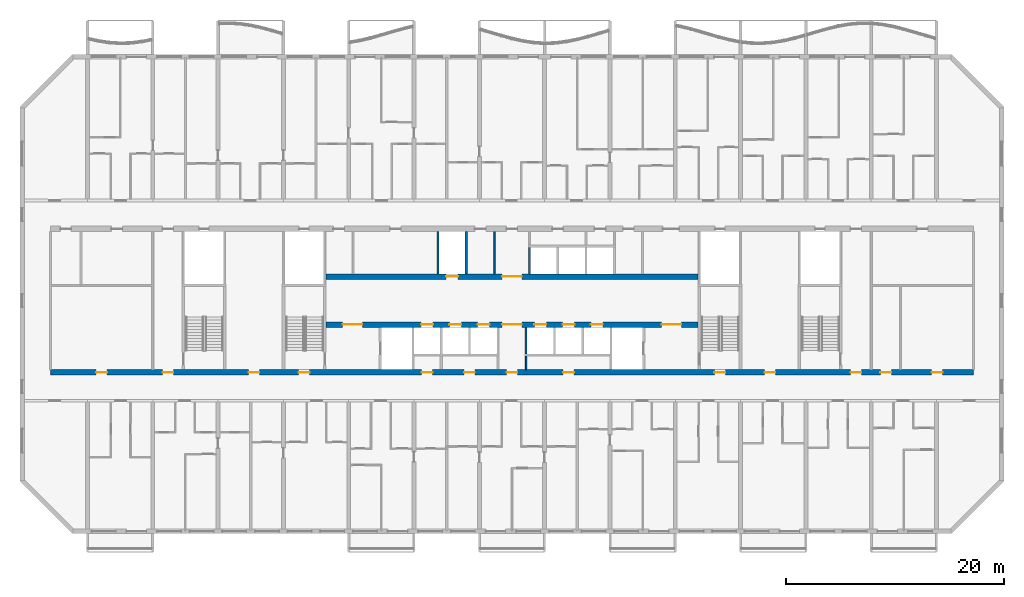
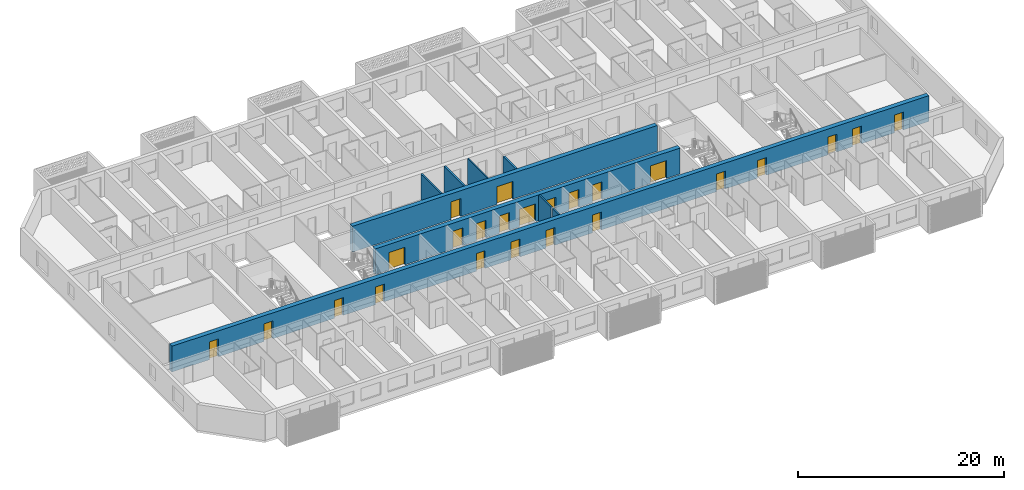
# One storey, part 7 of 26: 24 doors, 9 walls, 24 openings.
"""IFC4 building model written with IfcOpenShell, lengths in metres."""

from ifc_helpers import new_model, si_unit, direction, frame, frame_2d, origin, place, context, subcontext, project, spatial, rectangle, extrude, material, layer, layer_set, type_object, element, fill, save


model = new_model("IFC4")

# Units and contexts
model_context = context("Model", 3, precision=1e-05, world=origin(), true_north=direction((0.0, 1.0)))
body_context = subcontext(model_context, "Body", "Model", "MODEL_VIEW")
ifc_project = project(units=[si_unit("LENGTHUNIT", "METRE"), si_unit("AREAUNIT", "SQUARE_METRE"), si_unit("VOLUMEUNIT", "CUBIC_METRE"), si_unit("PLANEANGLEUNIT", "RADIAN"), si_unit("MASSUNIT", "GRAM", prefix="KILO")], contexts=[model_context])

# Site, building, storey
site_placement = place(None, origin())
site = spatial("IfcSite", under=ifc_project, at=site_placement, CompositionType="ELEMENT")
building_placement = place(site_placement, origin())
building = spatial("IfcBuilding", under=site, at=building_placement, Name="Poui Terraces", CompositionType="ELEMENT")
storey_placement = place(building_placement, frame((0.0, 0.0, 96.0)))
storey = spatial("IfcBuildingStorey", under=building, at=storey_placement, Name="L26", CompositionType="ELEMENT", Elevation=96.0)

# Wall, openings, doors
ifc_material_1 = material(Name="Concrete 65 MPa", Category="concrete")
ifc_layer_1 = layer(ifc_material_1, 0.5)
ifc_layer_set_1 = layer_set([ifc_layer_1], Name="Concrete 65 MPa")
wall_type_1 = type_object("IfcWallType", Name="CORE WALL 500 65 MPA", PredefinedType="SOLIDWALL", material=ifc_layer_set_1)
wall_1_placement = place(storey_placement, frame((33.925048828125, 19.0, 0.0), z_axis=(0.0, 0.0, 1.0), x_axis=(1.0, 0.0, 0.0)))
wall_1 = element("IfcWall", 1, at=wall_1_placement, inside=storey, type_object=wall_type_1, Name="CORE WALL", PredefinedType="SOLIDWALL", context=body_context, shape_type="SweptSolid", body=[
    extrude(rectangle(XDim=34.14990234375, YDim=0.5, at=frame_2d((17.074951171875, 0.0))), origin(), (0.0, 0.0, 1.0), 3.06005859375),
])
opening_1_placement = place(wall_1_placement, frame((16.175048828125, 0.0, 0.0)))
opening_1 = element("IfcOpeningElement", 2, at=opening_1_placement, cuts=wall_1, Name="Opening FDD60", PredefinedType="OPENING", context=body_context, shape_type="SweptSolid", body=[
    extrude(rectangle(XDim=1.800048828125, YDim=2.10009765625, at=frame_2d((0.89990234375, 1.050048828125))), frame((0.0, 0.260009765625, 0.0), z_axis=(0.0, -1.0, 0.0), x_axis=(1.0, 0.0, 0.0)), (0.0, 0.0, 1.0), 0.52001953125),
])
opening_2_placement = place(wall_1_placement, frame((1.52490234375, 0.0, 0.0)))
opening_2 = element("IfcOpeningElement", 3, at=opening_2_placement, cuts=wall_1, Name="Opening FDD60", PredefinedType="OPENING", context=body_context, shape_type="SweptSolid", body=[
    extrude(rectangle(XDim=1.800048828125, YDim=2.10009765625, at=frame_2d((0.89990234375, 1.050048828125))), frame((0.0, 0.260009765625, 0.0), z_axis=(0.0, -1.0, 0.0), x_axis=(1.0, 0.0, 0.0)), (0.0, 0.0, 1.0), 0.52001953125),
])
opening_3_placement = place(wall_1_placement, frame((8.72509765625, 0.0, 0.0)))
opening_3 = element("IfcOpeningElement", 4, at=opening_3_placement, cuts=wall_1, Name="Opening LD", PredefinedType="OPENING", context=body_context, shape_type="SweptSolid", body=[
    extrude(rectangle(XDim=1.10009765625, YDim=2.10009765625, at=frame_2d((0.550048828125, 1.050048828125))), frame((0.0, 0.260009765625, 0.0), z_axis=(0.0, -1.0, 0.0), x_axis=(1.0, 0.0, 0.0)), (0.0, 0.0, 1.0), 0.52001953125),
])
opening_4_placement = place(wall_1_placement, frame((11.324951171875, 0.0, 0.0)))
opening_4 = element("IfcOpeningElement", 5, at=opening_4_placement, cuts=wall_1, Name="Opening LD", PredefinedType="OPENING", context=body_context, shape_type="SweptSolid", body=[
    extrude(rectangle(XDim=1.10009765625, YDim=2.10009765625, at=frame_2d((0.550048828125, 1.050048828125))), frame((0.0, 0.260009765625, 0.0), z_axis=(0.0, -1.0, 0.0), x_axis=(1.0, 0.0, 0.0)), (0.0, 0.0, 1.0), 0.52001953125),
])
opening_5_placement = place(wall_1_placement, frame((13.925048828125, 0.0, 0.0)))
opening_5 = element("IfcOpeningElement", 6, at=opening_5_placement, cuts=wall_1, Name="Opening LD", PredefinedType="OPENING", context=body_context, shape_type="SweptSolid", body=[
    extrude(rectangle(XDim=1.10009765625, YDim=2.10009765625, at=frame_2d((0.550048828125, 1.050048828125))), frame((0.0, 0.260009765625, 0.0), z_axis=(0.0, -1.0, 0.0), x_axis=(1.0, 0.0, 0.0)), (0.0, 0.0, 1.0), 0.52001953125),
])
opening_6_placement = place(wall_1_placement, frame((19.125, 0.0, 0.0)))
opening_6 = element("IfcOpeningElement", 7, at=opening_6_placement, cuts=wall_1, Name="Opening LD", PredefinedType="OPENING", context=body_context, shape_type="SweptSolid", body=[
    extrude(rectangle(XDim=1.10009765625, YDim=2.10009765625, at=frame_2d((0.550048828125, 1.050048828125))), frame((0.0, 0.260009765625, 0.0), z_axis=(0.0, -1.0, 0.0), x_axis=(1.0, 0.0, 0.0)), (0.0, 0.0, 1.0), 0.52001953125),
])
opening_7_placement = place(wall_1_placement, frame((21.72509765625, 0.0, 0.0)))
opening_7 = element("IfcOpeningElement", 8, at=opening_7_placement, cuts=wall_1, Name="Opening LD", PredefinedType="OPENING", context=body_context, shape_type="SweptSolid", body=[
    extrude(rectangle(XDim=1.10009765625, YDim=2.10009765625, at=frame_2d((0.550048828125, 1.050048828125))), frame((0.0, 0.260009765625, 0.0), z_axis=(0.0, -1.0, 0.0), x_axis=(1.0, 0.0, 0.0)), (0.0, 0.0, 1.0), 0.52001953125),
])
opening_8_placement = place(wall_1_placement, frame((24.324951171875, 0.0, 0.0)))
opening_8 = element("IfcOpeningElement", 9, at=opening_8_placement, cuts=wall_1, Name="Opening LD", PredefinedType="OPENING", context=body_context, shape_type="SweptSolid", body=[
    extrude(rectangle(XDim=1.10009765625, YDim=2.10009765625, at=frame_2d((0.550048828125, 1.050048828125))), frame((0.0, 0.260009765625, 0.0), z_axis=(0.0, -1.0, 0.0), x_axis=(1.0, 0.0, 0.0)), (0.0, 0.0, 1.0), 0.52001953125),
])
opening_9_placement = place(wall_1_placement, frame((30.824951171875, 0.0, 0.0)))
opening_9 = element("IfcOpeningElement", 10, at=opening_9_placement, cuts=wall_1, Name="Opening FDD60", PredefinedType="OPENING", context=body_context, shape_type="SweptSolid", body=[
    extrude(rectangle(XDim=1.800048828125, YDim=2.10009765625, at=frame_2d((0.89990234375, 1.050048828125))), frame((0.0, 0.260009765625, 0.0), z_axis=(0.0, -1.0, 0.0), x_axis=(1.0, 0.0, 0.0)), (0.0, 0.0, 1.0), 0.52001953125),
])
ifc_material_2 = material(Name="Steel fire door", Category="steel")
door_type_1 = type_object("IfcDoorType", Name="DOUBLE LOBBY FIRE DOOR 1800 X 2100", OperationType="DOUBLE_DOOR_SINGLE_SWING", PredefinedType="DOOR", material=ifc_material_2)
door_1_placement = place(opening_1_placement, frame((1.800048828125, 0.0, 0.0), z_axis=(0.0, 0.0, 1.0), x_axis=(-1.0, 0.0, 0.0)))
door_1 = element("IfcDoor", 11, at=door_1_placement, inside=storey, type_object=door_type_1, Name="DOUBLE LOBBY FIRE DOOR 137", OperationType="DOUBLE_DOOR_SINGLE_SWING", OverallHeight=2.10009765625, OverallWidth=1.800048828125, PredefinedType="DOOR", context=body_context, shape_type="SweptSolid", body=[
    extrude(rectangle(XDim=1.800048828125, YDim=2.10009765625, at=frame_2d((0.89990234375, 1.050048828125))), frame((0.0, 0.02490234375, 0.0), z_axis=(0.0, -1.0, 0.0), x_axis=(1.0, 0.0, 0.0)), (0.0, 0.0, 1.0), 0.050048828125),
])
fill(opening_1, door_1)
door_2_placement = place(opening_2_placement, origin())
door_2 = element("IfcDoor", 12, at=door_2_placement, inside=storey, type_object=door_type_1, Name="DOUBLE LOBBY FIRE DOOR 138", OperationType="DOUBLE_DOOR_SINGLE_SWING", OverallHeight=2.10009765625, OverallWidth=1.800048828125, PredefinedType="DOOR", context=body_context, shape_type="SweptSolid", body=[
    extrude(rectangle(XDim=1.800048828125, YDim=2.10009765625, at=frame_2d((0.89990234375, 1.050048828125))), frame((0.0, 0.02490234375, 0.0), z_axis=(0.0, -1.0, 0.0), x_axis=(1.0, 0.0, 0.0)), (0.0, 0.0, 1.0), 0.050048828125),
])
fill(opening_2, door_2)
door_3_placement = place(opening_9_placement, origin())
door_3 = element("IfcDoor", 13, at=door_3_placement, inside=storey, type_object=door_type_1, Name="DOUBLE LOBBY FIRE DOOR 146", OperationType="DOUBLE_DOOR_SINGLE_SWING", OverallHeight=2.10009765625, OverallWidth=1.800048828125, PredefinedType="DOOR", context=body_context, shape_type="SweptSolid", body=[
    extrude(rectangle(XDim=1.800048828125, YDim=2.10009765625, at=frame_2d((0.89990234375, 1.050048828125))), frame((0.0, 0.02490234375, 0.0), z_axis=(0.0, -1.0, 0.0), x_axis=(1.0, 0.0, 0.0)), (0.0, 0.0, 1.0), 0.050048828125),
])
fill(opening_9, door_3)
ifc_material_3 = material(Name="Stainless steel sliding door", Category="steel")
door_type_2 = type_object("IfcDoorType", Name="LIFT LANDING DOOR 1100 X 2100", OperationType="DOUBLE_DOOR_SLIDING", PredefinedType="DOOR", material=ifc_material_3)
door_4_placement = place(opening_3_placement, origin())
door_4 = element("IfcDoor", 14, at=door_4_placement, inside=storey, type_object=door_type_2, Name="LANDING DOOR", OperationType="DOUBLE_DOOR_SLIDING", OverallHeight=2.10009765625, OverallWidth=1.10009765625, PredefinedType="DOOR", context=body_context, shape_type="SweptSolid", body=[
    extrude(rectangle(XDim=1.10009765625, YDim=2.10009765625, at=frame_2d((0.550048828125, 1.050048828125))), frame((0.0, 0.02490234375, 0.0), z_axis=(0.0, -1.0, 0.0), x_axis=(1.0, 0.0, 0.0)), (0.0, 0.0, 1.0), 0.050048828125),
])
fill(opening_3, door_4)
door_5_placement = place(opening_4_placement, origin())
door_5 = element("IfcDoor", 15, at=door_5_placement, inside=storey, type_object=door_type_2, Name="LANDING DOOR", OperationType="DOUBLE_DOOR_SLIDING", OverallHeight=2.10009765625, OverallWidth=1.10009765625, PredefinedType="DOOR", context=body_context, shape_type="SweptSolid", body=[
    extrude(rectangle(XDim=1.10009765625, YDim=2.10009765625, at=frame_2d((0.550048828125, 1.050048828125))), frame((0.0, 0.02490234375, 0.0), z_axis=(0.0, -1.0, 0.0), x_axis=(1.0, 0.0, 0.0)), (0.0, 0.0, 1.0), 0.050048828125),
])
fill(opening_4, door_5)
door_6_placement = place(opening_5_placement, origin())
door_6 = element("IfcDoor", 16, at=door_6_placement, inside=storey, type_object=door_type_2, Name="LANDING DOOR", OperationType="DOUBLE_DOOR_SLIDING", OverallHeight=2.10009765625, OverallWidth=1.10009765625, PredefinedType="DOOR", context=body_context, shape_type="SweptSolid", body=[
    extrude(rectangle(XDim=1.10009765625, YDim=2.10009765625, at=frame_2d((0.550048828125, 1.050048828125))), frame((0.0, 0.02490234375, 0.0), z_axis=(0.0, -1.0, 0.0), x_axis=(1.0, 0.0, 0.0)), (0.0, 0.0, 1.0), 0.050048828125),
])
fill(opening_5, door_6)
door_7_placement = place(opening_6_placement, origin())
door_7 = element("IfcDoor", 17, at=door_7_placement, inside=storey, type_object=door_type_2, Name="LANDING DOOR", OperationType="DOUBLE_DOOR_SLIDING", OverallHeight=2.10009765625, OverallWidth=1.10009765625, PredefinedType="DOOR", context=body_context, shape_type="SweptSolid", body=[
    extrude(rectangle(XDim=1.10009765625, YDim=2.10009765625, at=frame_2d((0.550048828125, 1.050048828125))), frame((0.0, 0.02490234375, 0.0), z_axis=(0.0, -1.0, 0.0), x_axis=(1.0, 0.0, 0.0)), (0.0, 0.0, 1.0), 0.050048828125),
])
fill(opening_6, door_7)
door_8_placement = place(opening_7_placement, origin())
door_8 = element("IfcDoor", 18, at=door_8_placement, inside=storey, type_object=door_type_2, Name="LANDING DOOR", OperationType="DOUBLE_DOOR_SLIDING", OverallHeight=2.10009765625, OverallWidth=1.10009765625, PredefinedType="DOOR", context=body_context, shape_type="SweptSolid", body=[
    extrude(rectangle(XDim=1.10009765625, YDim=2.10009765625, at=frame_2d((0.550048828125, 1.050048828125))), frame((0.0, 0.02490234375, 0.0), z_axis=(0.0, -1.0, 0.0), x_axis=(1.0, 0.0, 0.0)), (0.0, 0.0, 1.0), 0.050048828125),
])
fill(opening_7, door_8)
door_9_placement = place(opening_8_placement, origin())
door_9 = element("IfcDoor", 19, at=door_9_placement, inside=storey, type_object=door_type_2, Name="LANDING DOOR", OperationType="DOUBLE_DOOR_SLIDING", OverallHeight=2.10009765625, OverallWidth=1.10009765625, PredefinedType="DOOR", context=body_context, shape_type="SweptSolid", body=[
    extrude(rectangle(XDim=1.10009765625, YDim=2.10009765625, at=frame_2d((0.550048828125, 1.050048828125))), frame((0.0, 0.02490234375, 0.0), z_axis=(0.0, -1.0, 0.0), x_axis=(1.0, 0.0, 0.0)), (0.0, 0.0, 1.0), 0.050048828125),
])
fill(opening_8, door_9)

wall_2_placement = place(storey_placement, frame((33.925048828125, 23.39990234375, 0.0), z_axis=(0.0, 0.0, 1.0), x_axis=(1.0, 0.0, 0.0)))
wall_2 = element("IfcWall", 20, at=wall_2_placement, inside=storey, type_object=wall_type_1, Name="CORE WALL", PredefinedType="SOLIDWALL", context=body_context, shape_type="SweptSolid", body=[
    extrude(rectangle(XDim=34.14990234375, YDim=0.5, at=frame_2d((17.074951171875, 0.0))), origin(), (0.0, 0.0, 1.0), 3.06005859375),
])
opening_10_placement = place(wall_2_placement, frame((16.175048828125, 0.0, 0.0)))
opening_10 = element("IfcOpeningElement", 21, at=opening_10_placement, cuts=wall_2, Name="Opening FDD60", PredefinedType="OPENING", context=body_context, shape_type="SweptSolid", body=[
    extrude(rectangle(XDim=1.800048828125, YDim=2.10009765625, at=frame_2d((0.89990234375, 1.050048828125))), frame((0.0, 0.260009765625, 0.0), z_axis=(0.0, -1.0, 0.0), x_axis=(1.0, 0.0, 0.0)), (0.0, 0.0, 1.0), 0.52001953125),
])
opening_11_placement = place(wall_2_placement, frame((11.02490234375, 0.0, 0.0)))
opening_11 = element("IfcOpeningElement", 22, at=opening_11_placement, cuts=wall_2, Name="Opening LD", PredefinedType="OPENING", context=body_context, shape_type="SweptSolid", body=[
    extrude(rectangle(XDim=1.10009765625, YDim=2.10009765625, at=frame_2d((0.550048828125, 1.050048828125))), frame((0.0, 0.260009765625, 0.0), z_axis=(0.0, -1.0, 0.0), x_axis=(1.0, 0.0, 0.0)), (0.0, 0.0, 1.0), 0.52001953125),
])
door_10_placement = place(opening_10_placement, origin())
door_10 = element("IfcDoor", 23, at=door_10_placement, inside=storey, type_object=door_type_1, Name="DOUBLE LOBBY FIRE DOOR 136", OperationType="DOUBLE_DOOR_SINGLE_SWING", OverallHeight=2.10009765625, OverallWidth=1.800048828125, PredefinedType="DOOR", context=body_context, shape_type="SweptSolid", body=[
    extrude(rectangle(XDim=1.800048828125, YDim=2.10009765625, at=frame_2d((0.89990234375, 1.050048828125))), frame((0.0, 0.02490234375, 0.0), z_axis=(0.0, -1.0, 0.0), x_axis=(1.0, 0.0, 0.0)), (0.0, 0.0, 1.0), 0.050048828125),
])
fill(opening_10, door_10)
door_11_placement = place(opening_11_placement, origin())
door_11 = element("IfcDoor", 24, at=door_11_placement, inside=storey, type_object=door_type_2, Name="LANDING DOOR", OperationType="DOUBLE_DOOR_SLIDING", OverallHeight=2.10009765625, OverallWidth=1.10009765625, PredefinedType="DOOR", context=body_context, shape_type="SweptSolid", body=[
    extrude(rectangle(XDim=1.10009765625, YDim=2.10009765625, at=frame_2d((0.550048828125, 1.050048828125))), frame((0.0, 0.02490234375, 0.0), z_axis=(0.0, -1.0, 0.0), x_axis=(1.0, 0.0, 0.0)), (0.0, 0.0, 1.0), 0.050048828125),
])
fill(opening_11, door_11)

# Walls
ifc_material_4 = material(Name="Fire-rated plasterboard wall")
ifc_layer_2 = layer(ifc_material_4, 0.14990234375)
ifc_layer_set_2 = layer_set([ifc_layer_2], Name="Fire-rated plasterboard wall")
wall_type_2 = type_object("IfcWallType", Name="CORRIDOR WALL 150", PredefinedType="PARTITIONING", material=ifc_layer_set_2)
wall_3_placement = place(storey_placement, frame((49.39990234375, 23.659912109375, 0.0), z_axis=(0.0, 0.0, 1.0), x_axis=(0.0, 1.0, 0.0)))
element("IfcWall", 25, at=wall_3_placement, inside=storey, type_object=wall_type_2, Name="CORRIDOR WALL 150", PredefinedType="PARTITIONING", context=body_context, shape_type="SweptSolid", body=[
    extrude(rectangle(XDim=3.880126953125, YDim=0.14990234375, at=frame_2d((1.93994140625, 0.0))), origin(), (0.0, 0.0, 1.0), 3.06005859375),
])
wall_4_placement = place(storey_placement, frame((52.300048828125, 14.860107421875, 0.0), z_axis=(0.0, 0.0, 1.0), x_axis=(0.0, 1.0, 0.0)))
element("IfcWall", 26, at=wall_4_placement, inside=storey, type_object=wall_type_2, Name="CORRIDOR WALL 150", PredefinedType="PARTITIONING", context=body_context, shape_type="SweptSolid", body=[
    extrude(rectangle(XDim=1.239990234375, YDim=0.14990234375, at=frame_2d((0.6201171875, 0.0))), origin(), (0.0, 0.0, 1.0), 3.06005859375),
])
ifc_material_5 = material(Name="Fire-rated masonry shaft wall", Category="masonry")
ifc_layer_3 = layer(ifc_material_5, 0.199951171875)
ifc_layer_set_3 = layer_set([ifc_layer_3], Name="Fire-rated masonry shaft wall")
wall_type_3 = type_object("IfcWallType", Name="SHAFT WALL 200", PredefinedType="PARTITIONING", material=ifc_layer_set_3)
for number, where, z_axis, x_axis, name in (
    (27, (44.199951171875, 23.659912109375, 0.0), (0.0, 0.0, 1.0), (0.0, 1.0, 0.0), "SHAFT WALL 200"),
    (28, (46.800048828125, 23.659912109375, 0.0), (0.0, 0.0, 1.0), (0.0, 1.0, 0.0), "SHAFT WALL 200"),
):
    element("IfcWall", number, at=place(storey_placement, frame(where, z_axis=z_axis, x_axis=x_axis)), inside=storey, type_object=wall_type_3, Name=name, PredefinedType="PARTITIONING", context=body_context, shape_type="SweptSolid", body=[
        extrude(rectangle(XDim=3.880126953125, YDim=0.199951171875, at=frame_2d((1.93994140625, 0.0))), origin(), (0.0, 0.0, 1.0), 3.06005859375),
    ])
wall_5_placement = place(storey_placement, frame((52.300048828125, 16.300048828125, 0.0), z_axis=(0.0, 0.0, 1.0), x_axis=(0.0, 1.0, 0.0)))
element("IfcWall", 29, at=wall_5_placement, inside=storey, type_object=wall_type_3, Name="SHAFT WALL 200", PredefinedType="PARTITIONING", context=body_context, shape_type="SweptSolid", body=[
    extrude(rectangle(XDim=2.43994140625, YDim=0.199951171875, at=frame_2d((1.219970703125, 0.0))), origin(), (0.0, 0.0, 1.0), 3.06005859375),
])
wall_6_placement = place(storey_placement, frame((52.60009765625, 23.659912109375, 0.0), z_axis=(0.0, 0.0, 1.0), x_axis=(0.0, 1.0, 0.0)))
element("IfcWall", 30, at=wall_6_placement, inside=storey, type_object=wall_type_3, Name="SHAFT WALL 200", PredefinedType="PARTITIONING", context=body_context, shape_type="SweptSolid", body=[
    extrude(rectangle(XDim=2.440185546875, YDim=0.199951171875, at=frame_2d((1.22021484375, 0.0))), origin(), (0.0, 0.0, 1.0), 3.06005859375),
])

# Wall, openings, doors
ifc_layer_4 = layer(ifc_material_1, 0.5)
ifc_layer_set_4 = layer_set([ifc_layer_4], Name="Concrete 65 MPa")
wall_type_4 = type_object("IfcWallType", Name="SPINE WALL 500 65 MPA", PredefinedType="SOLIDWALL", material=ifc_layer_set_4)
wall_7_placement = place(storey_placement, frame((8.60009765625, 14.60009765625, 0.0), z_axis=(0.0, 0.0, 1.0), x_axis=(1.0, 0.0, 0.0)))
wall_7 = element("IfcWall", 31, at=wall_7_placement, inside=storey, type_object=wall_type_4, Name="SPINE WALL", PredefinedType="SOLIDWALL", context=body_context, shape_type="SweptSolid", body=[
    extrude(rectangle(XDim=84.7998046875, YDim=0.5, at=frame_2d((42.39990234375, 0.0))), origin(), (0.0, 0.0, 1.0), 3.06005859375),
])
opening_12_placement = place(wall_7_placement, frame((4.199951171875, 0.0, 0.0)))
opening_12 = element("IfcOpeningElement", 32, at=opening_12_placement, cuts=wall_7, Name="Opening FD60", PredefinedType="OPENING", context=body_context, shape_type="SweptSolid", body=[
    extrude(rectangle(XDim=1.0, YDim=2.10009765625, at=frame_2d((0.5, 1.050048828125))), frame((0.0, 0.260009765625, 0.0), z_axis=(0.0, -1.0, 0.0), x_axis=(1.0, 0.0, 0.0)), (0.0, 0.0, 1.0), 0.52001953125),
])
opening_13_placement = place(wall_7_placement, frame((10.300048828125, 0.0, 0.0)))
opening_13 = element("IfcOpeningElement", 33, at=opening_13_placement, cuts=wall_7, Name="Opening FDL", PredefinedType="OPENING", context=body_context, shape_type="SweptSolid", body=[
    extrude(rectangle(XDim=1.0, YDim=2.10009765625, at=frame_2d((0.5, 1.050048828125))), frame((0.0, 0.260009765625, 0.0), z_axis=(0.0, -1.0, 0.0), x_axis=(1.0, 0.0, 0.0)), (0.0, 0.0, 1.0), 0.52001953125),
])
opening_14_placement = place(wall_7_placement, frame((18.199951171875, 0.0, 0.0)))
opening_14 = element("IfcOpeningElement", 34, at=opening_14_placement, cuts=wall_7, Name="Opening D100", PredefinedType="OPENING", context=body_context, shape_type="SweptSolid", body=[
    extrude(rectangle(XDim=1.0, YDim=2.10009765625, at=frame_2d((0.5, 1.050048828125))), frame((0.0, 0.260009765625, 0.0), z_axis=(0.0, -1.0, 0.0), x_axis=(1.0, 0.0, 0.0)), (0.0, 0.0, 1.0), 0.52001953125),
])
opening_15_placement = place(wall_7_placement, frame((22.800048828125, 0.0, 0.0)))
opening_15 = element("IfcOpeningElement", 35, at=opening_15_placement, cuts=wall_7, Name="Opening FD60S", PredefinedType="OPENING", context=body_context, shape_type="SweptSolid", body=[
    extrude(rectangle(XDim=1.0, YDim=2.10009765625, at=frame_2d((0.5, 1.050048828125))), frame((0.0, 0.260009765625, 0.0), z_axis=(0.0, -1.0, 0.0), x_axis=(1.0, 0.0, 0.0)), (0.0, 0.0, 1.0), 0.52001953125),
])
opening_16_placement = place(wall_7_placement, frame((34.10009765625, 0.0, 0.0)))
opening_16 = element("IfcOpeningElement", 36, at=opening_16_placement, cuts=wall_7, Name="Opening FD60", PredefinedType="OPENING", context=body_context, shape_type="SweptSolid", body=[
    extrude(rectangle(XDim=1.0, YDim=2.10009765625, at=frame_2d((0.5, 1.050048828125))), frame((0.0, 0.260009765625, 0.0), z_axis=(0.0, -1.0, 0.0), x_axis=(1.0, 0.0, 0.0)), (0.0, 0.0, 1.0), 0.52001953125),
])
opening_17_placement = place(wall_7_placement, frame((38.0, 0.0, 0.0)))
opening_17 = element("IfcOpeningElement", 37, at=opening_17_placement, cuts=wall_7, Name="Opening FD60", PredefinedType="OPENING", context=body_context, shape_type="SweptSolid", body=[
    extrude(rectangle(XDim=1.0, YDim=2.10009765625, at=frame_2d((0.5, 1.050048828125))), frame((0.0, 0.260009765625, 0.0), z_axis=(0.0, -1.0, 0.0), x_axis=(1.0, 0.0, 0.0)), (0.0, 0.0, 1.0), 0.52001953125),
])
opening_18_placement = place(wall_7_placement, frame((41.89990234375, 0.0, 0.0)))
opening_18 = element("IfcOpeningElement", 38, at=opening_18_placement, cuts=wall_7, Name="Opening FDL", PredefinedType="OPENING", context=body_context, shape_type="SweptSolid", body=[
    extrude(rectangle(XDim=1.0, YDim=2.10009765625, at=frame_2d((0.5, 1.050048828125))), frame((0.0, 0.260009765625, 0.0), z_axis=(0.0, -1.0, 0.0), x_axis=(1.0, 0.0, 0.0)), (0.0, 0.0, 1.0), 0.52001953125),
])
opening_19_placement = place(wall_7_placement, frame((47.10009765625, 0.0, 0.0)))
opening_19 = element("IfcOpeningElement", 39, at=opening_19_placement, cuts=wall_7, Name="Opening FD60", PredefinedType="OPENING", context=body_context, shape_type="SweptSolid", body=[
    extrude(rectangle(XDim=1.0, YDim=2.10009765625, at=frame_2d((0.5, 1.050048828125))), frame((0.0, 0.260009765625, 0.0), z_axis=(0.0, -1.0, 0.0), x_axis=(1.0, 0.0, 0.0)), (0.0, 0.0, 1.0), 0.52001953125),
])
opening_20_placement = place(wall_7_placement, frame((61.0, 0.0, 0.0)))
opening_20 = element("IfcOpeningElement", 40, at=opening_20_placement, cuts=wall_7, Name="Opening FD60S", PredefinedType="OPENING", context=body_context, shape_type="SweptSolid", body=[
    extrude(rectangle(XDim=1.0, YDim=2.10009765625, at=frame_2d((0.5, 1.050048828125))), frame((0.0, 0.260009765625, 0.0), z_axis=(0.0, -1.0, 0.0), x_axis=(1.0, 0.0, 0.0)), (0.0, 0.0, 1.0), 0.52001953125),
])
opening_21_placement = place(wall_7_placement, frame((65.60009765625, 0.0, 0.0)))
opening_21 = element("IfcOpeningElement", 41, at=opening_21_placement, cuts=wall_7, Name="Opening D100", PredefinedType="OPENING", context=body_context, shape_type="SweptSolid", body=[
    extrude(rectangle(XDim=1.0, YDim=2.10009765625, at=frame_2d((0.5, 1.050048828125))), frame((0.0, 0.260009765625, 0.0), z_axis=(0.0, -1.0, 0.0), x_axis=(1.0, 0.0, 0.0)), (0.0, 0.0, 1.0), 0.52001953125),
])
opening_22_placement = place(wall_7_placement, frame((73.5, 0.0, 0.0)))
opening_22 = element("IfcOpeningElement", 42, at=opening_22_placement, cuts=wall_7, Name="Opening FDL", PredefinedType="OPENING", context=body_context, shape_type="SweptSolid", body=[
    extrude(rectangle(XDim=1.0, YDim=2.10009765625, at=frame_2d((0.5, 1.050048828125))), frame((0.0, 0.260009765625, 0.0), z_axis=(0.0, -1.0, 0.0), x_axis=(1.0, 0.0, 0.0)), (0.0, 0.0, 1.0), 0.52001953125),
])
opening_23_placement = place(wall_7_placement, frame((76.25, 0.0, 0.0)))
opening_23 = element("IfcOpeningElement", 43, at=opening_23_placement, cuts=wall_7, Name="Opening FD60", PredefinedType="OPENING", context=body_context, shape_type="SweptSolid", body=[
    extrude(rectangle(XDim=1.0, YDim=2.10009765625, at=frame_2d((0.5, 1.050048828125))), frame((0.0, 0.260009765625, 0.0), z_axis=(0.0, -1.0, 0.0), x_axis=(1.0, 0.0, 0.0)), (0.0, 0.0, 1.0), 0.52001953125),
])
opening_24_placement = place(wall_7_placement, frame((80.949951171875, 0.0, 0.0)))
opening_24 = element("IfcOpeningElement", 44, at=opening_24_placement, cuts=wall_7, Name="Opening FD60", PredefinedType="OPENING", context=body_context, shape_type="SweptSolid", body=[
    extrude(rectangle(XDim=1.0, YDim=2.10009765625, at=frame_2d((0.5, 1.050048828125))), frame((0.0, 0.260009765625, 0.0), z_axis=(0.0, -1.0, 0.0), x_axis=(1.0, 0.0, 0.0)), (0.0, 0.0, 1.0), 0.52001953125),
])
ifc_material_6 = material(Name="Solid core timber door", Category="wood")
door_type_3 = type_object("IfcDoorType", Name="ACCESSIBLE INTERNAL DOOR 1000 X 2100", OperationType="NOTDEFINED", PredefinedType="DOOR", material=ifc_material_6)
door_12_placement = place(opening_14_placement, frame((1.0, 0.0, 0.0), z_axis=(0.0, 0.0, 1.0), x_axis=(-1.0, 0.0, 0.0)))
door_12 = element("IfcDoor", 45, at=door_12_placement, inside=storey, type_object=door_type_3, Name="ACCESSIBLE INTERNAL DOOR 020", OperationType="SINGLE_SWING_LEFT", OverallHeight=2.10009765625, OverallWidth=1.0, PredefinedType="DOOR", context=body_context, shape_type="SweptSolid", body=[
    extrude(rectangle(XDim=1.0, YDim=2.10009765625, at=frame_2d((0.5, 1.050048828125))), frame((0.0, 0.02490234375, 0.0), z_axis=(0.0, -1.0, 0.0), x_axis=(1.0, 0.0, 0.0)), (0.0, 0.0, 1.0), 0.050048828125),
])
fill(opening_14, door_12)
door_13_placement = place(opening_21_placement, frame((1.0, 0.0, 0.0), z_axis=(0.0, 0.0, 1.0), x_axis=(-1.0, 0.0, 0.0)))
door_13 = element("IfcDoor", 46, at=door_13_placement, inside=storey, type_object=door_type_3, Name="ACCESSIBLE INTERNAL DOOR 027", OperationType="SINGLE_SWING_RIGHT", OverallHeight=2.10009765625, OverallWidth=1.0, PredefinedType="DOOR", context=body_context, shape_type="SweptSolid", body=[
    extrude(rectangle(XDim=1.0, YDim=2.10009765625, at=frame_2d((0.5, 1.050048828125))), frame((0.0, 0.02490234375, 0.0), z_axis=(0.0, -1.0, 0.0), x_axis=(1.0, 0.0, 0.0)), (0.0, 0.0, 1.0), 0.050048828125),
])
fill(opening_21, door_13)
door_type_4 = type_object("IfcDoorType", Name="LOBBY FIRE DOOR 1000 X 2100", OperationType="NOTDEFINED", PredefinedType="DOOR", material=ifc_material_2)
door_14_placement = place(opening_13_placement, frame((1.0, 0.0, 0.0), z_axis=(0.0, 0.0, 1.0), x_axis=(-1.0, 0.0, 0.0)))
door_14 = element("IfcDoor", 47, at=door_14_placement, inside=storey, type_object=door_type_4, Name="LOBBY FIRE DOOR 019", OperationType="SINGLE_SWING_RIGHT", OverallHeight=2.10009765625, OverallWidth=1.0, PredefinedType="DOOR", context=body_context, shape_type="SweptSolid", body=[
    extrude(rectangle(XDim=1.0, YDim=2.10009765625, at=frame_2d((0.5, 1.050048828125))), frame((0.0, 0.02490234375, 0.0), z_axis=(0.0, -1.0, 0.0), x_axis=(1.0, 0.0, 0.0)), (0.0, 0.0, 1.0), 0.050048828125),
])
fill(opening_13, door_14)
door_15_placement = place(opening_18_placement, frame((1.0, 0.0, 0.0), z_axis=(0.0, 0.0, 1.0), x_axis=(-1.0, 0.0, 0.0)))
door_15 = element("IfcDoor", 48, at=door_15_placement, inside=storey, type_object=door_type_4, Name="LOBBY FIRE DOOR 024", OperationType="SINGLE_SWING_LEFT", OverallHeight=2.10009765625, OverallWidth=1.0, PredefinedType="DOOR", context=body_context, shape_type="SweptSolid", body=[
    extrude(rectangle(XDim=1.0, YDim=2.10009765625, at=frame_2d((0.5, 1.050048828125))), frame((0.0, 0.02490234375, 0.0), z_axis=(0.0, -1.0, 0.0), x_axis=(1.0, 0.0, 0.0)), (0.0, 0.0, 1.0), 0.050048828125),
])
fill(opening_18, door_15)
door_16_placement = place(opening_22_placement, frame((1.0, 0.0, 0.0), z_axis=(0.0, 0.0, 1.0), x_axis=(-1.0, 0.0, 0.0)))
door_16 = element("IfcDoor", 49, at=door_16_placement, inside=storey, type_object=door_type_4, Name="LOBBY FIRE DOOR 028", OperationType="SINGLE_SWING_LEFT", OverallHeight=2.10009765625, OverallWidth=1.0, PredefinedType="DOOR", context=body_context, shape_type="SweptSolid", body=[
    extrude(rectangle(XDim=1.0, YDim=2.10009765625, at=frame_2d((0.5, 1.050048828125))), frame((0.0, 0.02490234375, 0.0), z_axis=(0.0, -1.0, 0.0), x_axis=(1.0, 0.0, 0.0)), (0.0, 0.0, 1.0), 0.050048828125),
])
fill(opening_22, door_16)
door_type_5 = type_object("IfcDoorType", Name="SERVICE ROOM FIRE DOOR 1000 X 2100", OperationType="NOTDEFINED", PredefinedType="DOOR", material=ifc_material_2)
door_17_placement = place(opening_12_placement, frame((1.0, 0.0, 0.0), z_axis=(0.0, 0.0, 1.0), x_axis=(-1.0, 0.0, 0.0)))
door_17 = element("IfcDoor", 50, at=door_17_placement, inside=storey, type_object=door_type_5, Name="SERVICE ROOM FIRE DOOR 018", OperationType="SINGLE_SWING_LEFT", OverallHeight=2.10009765625, OverallWidth=1.0, PredefinedType="DOOR", context=body_context, shape_type="SweptSolid", body=[
    extrude(rectangle(XDim=1.0, YDim=2.10009765625, at=frame_2d((0.5, 1.050048828125))), frame((0.0, 0.02490234375, 0.0), z_axis=(0.0, -1.0, 0.0), x_axis=(1.0, 0.0, 0.0)), (0.0, 0.0, 1.0), 0.050048828125),
])
fill(opening_12, door_17)
door_18_placement = place(opening_16_placement, frame((1.0, 0.0, 0.0), z_axis=(0.0, 0.0, 1.0), x_axis=(-1.0, 0.0, 0.0)))
door_18 = element("IfcDoor", 51, at=door_18_placement, inside=storey, type_object=door_type_5, Name="SERVICE ROOM FIRE DOOR 022", OperationType="SINGLE_SWING_LEFT", OverallHeight=2.10009765625, OverallWidth=1.0, PredefinedType="DOOR", context=body_context, shape_type="SweptSolid", body=[
    extrude(rectangle(XDim=1.0, YDim=2.10009765625, at=frame_2d((0.5, 1.050048828125))), frame((0.0, 0.02490234375, 0.0), z_axis=(0.0, -1.0, 0.0), x_axis=(1.0, 0.0, 0.0)), (0.0, 0.0, 1.0), 0.050048828125),
])
fill(opening_16, door_18)
door_19_placement = place(opening_17_placement, frame((1.0, 0.0, 0.0), z_axis=(0.0, 0.0, 1.0), x_axis=(-1.0, 0.0, 0.0)))
door_19 = element("IfcDoor", 52, at=door_19_placement, inside=storey, type_object=door_type_5, Name="SERVICE ROOM FIRE DOOR 023", OperationType="SINGLE_SWING_RIGHT", OverallHeight=2.10009765625, OverallWidth=1.0, PredefinedType="DOOR", context=body_context, shape_type="SweptSolid", body=[
    extrude(rectangle(XDim=1.0, YDim=2.10009765625, at=frame_2d((0.5, 1.050048828125))), frame((0.0, 0.02490234375, 0.0), z_axis=(0.0, -1.0, 0.0), x_axis=(1.0, 0.0, 0.0)), (0.0, 0.0, 1.0), 0.050048828125),
])
fill(opening_17, door_19)
door_20_placement = place(opening_19_placement, frame((1.0, 0.0, 0.0), z_axis=(0.0, 0.0, 1.0), x_axis=(-1.0, 0.0, 0.0)))
door_20 = element("IfcDoor", 53, at=door_20_placement, inside=storey, type_object=door_type_5, Name="SERVICE ROOM FIRE DOOR 025", OperationType="SINGLE_SWING_LEFT", OverallHeight=2.10009765625, OverallWidth=1.0, PredefinedType="DOOR", context=body_context, shape_type="SweptSolid", body=[
    extrude(rectangle(XDim=1.0, YDim=2.10009765625, at=frame_2d((0.5, 1.050048828125))), frame((0.0, 0.02490234375, 0.0), z_axis=(0.0, -1.0, 0.0), x_axis=(1.0, 0.0, 0.0)), (0.0, 0.0, 1.0), 0.050048828125),
])
fill(opening_19, door_20)
door_21_placement = place(opening_23_placement, frame((1.0, 0.0, 0.0), z_axis=(0.0, 0.0, 1.0), x_axis=(-1.0, 0.0, 0.0)))
door_21 = element("IfcDoor", 54, at=door_21_placement, inside=storey, type_object=door_type_5, Name="SERVICE ROOM FIRE DOOR 029", OperationType="SINGLE_SWING_RIGHT", OverallHeight=2.10009765625, OverallWidth=1.0, PredefinedType="DOOR", context=body_context, shape_type="SweptSolid", body=[
    extrude(rectangle(XDim=1.0, YDim=2.10009765625, at=frame_2d((0.5, 1.050048828125))), frame((0.0, 0.02490234375, 0.0), z_axis=(0.0, -1.0, 0.0), x_axis=(1.0, 0.0, 0.0)), (0.0, 0.0, 1.0), 0.050048828125),
])
fill(opening_23, door_21)
door_22_placement = place(opening_24_placement, frame((1.0, 0.0, 0.0), z_axis=(0.0, 0.0, 1.0), x_axis=(-1.0, 0.0, 0.0)))
door_22 = element("IfcDoor", 55, at=door_22_placement, inside=storey, type_object=door_type_5, Name="SERVICE ROOM FIRE DOOR 030", OperationType="SINGLE_SWING_LEFT", OverallHeight=2.10009765625, OverallWidth=1.0, PredefinedType="DOOR", context=body_context, shape_type="SweptSolid", body=[
    extrude(rectangle(XDim=1.0, YDim=2.10009765625, at=frame_2d((0.5, 1.050048828125))), frame((0.0, 0.02490234375, 0.0), z_axis=(0.0, -1.0, 0.0), x_axis=(1.0, 0.0, 0.0)), (0.0, 0.0, 1.0), 0.050048828125),
])
fill(opening_24, door_22)
door_type_6 = type_object("IfcDoorType", Name="STAIR DOOR 1000 X 2100", OperationType="NOTDEFINED", PredefinedType="DOOR", material=ifc_material_2)
door_23_placement = place(opening_15_placement, origin())
door_23 = element("IfcDoor", 56, at=door_23_placement, inside=storey, type_object=door_type_6, Name="STAIR DOOR 021", OperationType="SINGLE_SWING_RIGHT", OverallHeight=2.10009765625, OverallWidth=1.0, PredefinedType="DOOR", context=body_context, shape_type="SweptSolid", body=[
    extrude(rectangle(XDim=1.0, YDim=2.10009765625, at=frame_2d((0.5, 1.050048828125))), frame((0.0, 0.02490234375, 0.0), z_axis=(0.0, -1.0, 0.0), x_axis=(1.0, 0.0, 0.0)), (0.0, 0.0, 1.0), 0.050048828125),
])
fill(opening_15, door_23)
door_24_placement = place(opening_20_placement, origin())
door_24 = element("IfcDoor", 57, at=door_24_placement, inside=storey, type_object=door_type_6, Name="STAIR DOOR 026", OperationType="SINGLE_SWING_RIGHT", OverallHeight=2.10009765625, OverallWidth=1.0, PredefinedType="DOOR", context=body_context, shape_type="SweptSolid", body=[
    extrude(rectangle(XDim=1.0, YDim=2.10009765625, at=frame_2d((0.5, 1.050048828125))), frame((0.0, 0.02490234375, 0.0), z_axis=(0.0, -1.0, 0.0), x_axis=(1.0, 0.0, 0.0)), (0.0, 0.0, 1.0), 0.050048828125),
])
fill(opening_20, door_24)

save(model, "model.ifc")
